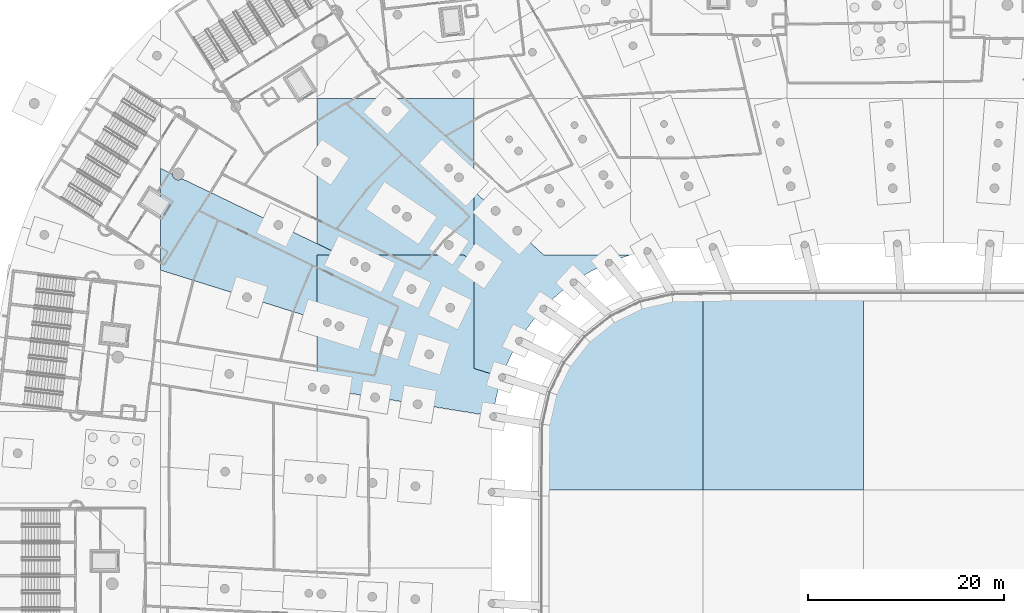
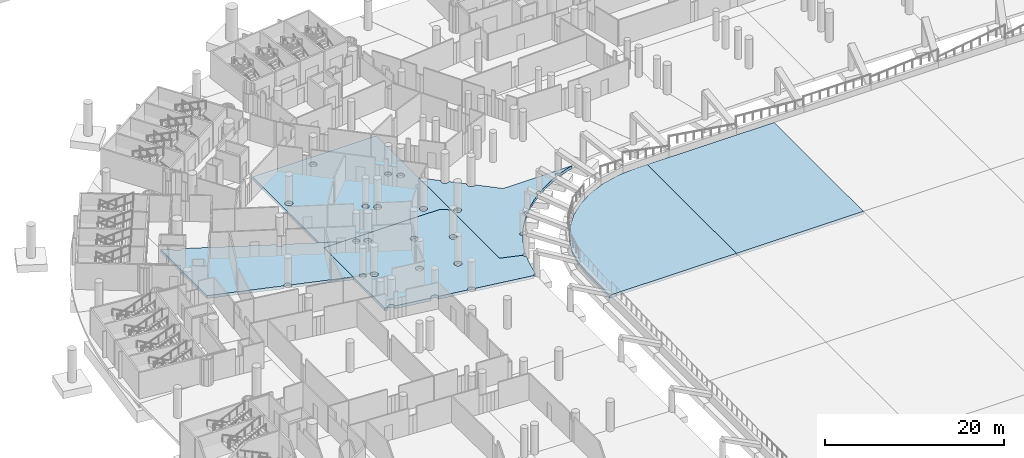
# One storey, part 27 of 142: 6 slabs.
"""IFC4 building model written with IfcOpenShell, lengths in metres."""

from ifc_helpers import new_model, si_unit, direction, frame, origin, place, context, subcontext, project, spatial, polyline, outline, extrude, material, layer, layer_set, type_object, element, save


model = new_model("IFC4")

# Units and contexts
model_context = context("Model", 3, precision=1e-05, world=origin(), true_north=direction((0.0, 1.0)))
body_context = subcontext(model_context, "Body", "Model", "MODEL_VIEW")
ifc_project = project(units=[si_unit("LENGTHUNIT", "METRE"), si_unit("AREAUNIT", "SQUARE_METRE"), si_unit("VOLUMEUNIT", "CUBIC_METRE"), si_unit("PLANEANGLEUNIT", "RADIAN"), si_unit("MASSUNIT", "GRAM", prefix="KILO")], contexts=[model_context])

# Site, building, storey
site_placement = place(None, origin())
site = spatial("IfcSite", under=ifc_project, at=site_placement, CompositionType="ELEMENT")
building_placement = place(site_placement, origin())
building = spatial("IfcBuilding", under=site, at=building_placement, Name="Meseta Stadium", CompositionType="ELEMENT")
storey_placement = place(building_placement, frame((0.0, 0.0, -4.0)))
storey = spatial("IfcBuildingStorey", under=building, at=storey_placement, Name="B1", CompositionType="ELEMENT", Elevation=-4.0)

# Slabs
ifc_material_1 = material(Name="Concrete C30/37", Category="concrete")
ifc_layer_1 = layer(ifc_material_1, 0.39990234375)
ifc_layer_set_1 = layer_set([ifc_layer_1], Name="Base slab 400")
slab_type_1 = type_object("IfcSlabType", Name="Base slab 400", PredefinedType="BASESLAB", material=ifc_layer_set_1)
slab_1_placement = place(storey_placement, frame((0.0, 0.0, -0.39990234375)))
element("IfcSlab", 1, at=slab_1_placement, inside=storey, type_object=slab_type_1, Name="Base slab B1 sector 21 panel 05", PredefinedType="BASESLAB", context=body_context, shape_type="SweptSolid", body=[
    extrude(outline(polyline([(-68.348388671875, 66.806640625), (-68.39013671875, 66.884765625), (-68.416015625, 66.969482421875), (-68.424560546875, 67.057861328125), (-68.416015625, 67.14599609375), (-68.39013671875, 67.23095703125), (-68.37841796875, 67.253173828125), (-77.829345703125, 71.79833984375), (-77.863037109375, 71.770751953125), (-77.96728515625, 71.715087890625), (-78.080322265625, 71.6806640625), (-78.197998046875, 71.669189453125), (-78.3154296875, 71.6806640625), (-78.4287109375, 71.715087890625), (-78.532958984375, 71.770751953125), (-78.624267578125, 71.845703125), (-78.69921875, 71.93701171875), (-78.7548828125, 72.041259765625), (-78.789306640625, 72.154296875), (-78.800048828125, 72.26513671875), (-80.0, 72.84228515625), (-80.0, 62.44580078125), (-71.59912109375, 59.81201171875), (-71.58740234375, 59.850341796875), (-71.545654296875, 59.928466796875), (-71.489501953125, 59.9970703125), (-71.4208984375, 60.05322265625), (-71.3427734375, 60.094970703125), (-71.2578125, 60.120849609375), (-71.169677734375, 60.12939453125), (-71.08154296875, 60.120849609375), (-70.99658203125, 60.094970703125), (-70.91845703125, 60.05322265625), (-70.85009765625, 59.9970703125), (-70.793701171875, 59.928466796875), (-70.751953125, 59.850341796875), (-70.726318359375, 59.765380859375), (-70.717529296875, 59.67724609375), (-70.726318359375, 59.589111328125), (-70.740234375, 59.54248046875), (-64.0, 57.42919921875), (-64.0, 64.0), (-61.614013671875, 64.0), (-67.56640625, 66.862548828125), (-67.596435546875, 66.806640625), (-67.652587890625, 66.738037109375), (-67.72119140625, 66.681884765625), (-67.79931640625, 66.64013671875), (-67.88427734375, 66.614501953125), (-67.972412109375, 66.605712890625), (-68.060546875, 66.614501953125), (-68.1455078125, 66.64013671875), (-68.2236328125, 66.681884765625), (-68.292236328125, 66.738037109375), (-68.348388671875, 66.806640625)])), origin(), (0.0, 0.0, 1.0), 0.39990234375),
])
slab_2_placement = place(storey_placement, frame((0.0, 0.0, -0.39990234375)))
element("IfcSlab", 2, at=slab_2_placement, inside=storey, type_object=slab_type_1, Name="Base slab B1 sector 21 panel 09", PredefinedType="BASESLAB", context=body_context, shape_type="SweptSolid", body=[
    extrude(outline(polyline([(-48.0, 63.2978515625), (-48.0, 80.0), (-64.0, 80.0), (-64.0, 65.1474609375), (-61.614013671875, 64.0), (-49.0400390625, 64.0), (-48.0, 63.2978515625)]), holes=[polyline([(-57.3671875, 78.69580078125), (-57.3583984375, 78.783935546875), (-57.332763671875, 78.868896484375), (-57.291015625, 78.947021484375), (-57.23486328125, 79.015380859375), (-57.166259765625, 79.07177734375), (-57.088134765625, 79.113525390625), (-57.003173828125, 79.13916015625), (-56.9150390625, 79.14794921875), (-56.826904296875, 79.13916015625), (-56.741943359375, 79.113525390625), (-56.663818359375, 79.07177734375), (-56.59521484375, 79.015380859375), (-56.5390625, 78.947021484375), (-56.497314453125, 78.868896484375), (-56.471435546875, 78.783935546875), (-56.462890625, 78.69580078125), (-56.471435546875, 78.607421875), (-56.497314453125, 78.522705078125), (-56.5390625, 78.444580078125), (-56.59521484375, 78.3759765625), (-56.663818359375, 78.319580078125), (-56.741943359375, 78.278076171875), (-56.826904296875, 78.252197265625), (-56.9150390625, 78.243408203125), (-57.003173828125, 78.252197265625), (-57.088134765625, 78.278076171875), (-57.166259765625, 78.319580078125), (-57.23486328125, 78.3759765625), (-57.291015625, 78.444580078125), (-57.332763671875, 78.522705078125), (-57.3583984375, 78.607421875), (-57.3671875, 78.69580078125)]), polyline([(-50.973388671875, 72.888916015625), (-50.9658203125, 72.96728515625), (-50.94287109375, 73.04248046875), (-50.90576171875, 73.112060546875), (-50.855712890625, 73.173095703125), (-50.794921875, 73.222900390625), (-50.725341796875, 73.260009765625), (-50.64990234375, 73.282958984375), (-50.571533203125, 73.290771484375), (-50.4931640625, 73.282958984375), (-50.417724609375, 73.260009765625), (-50.348388671875, 73.222900390625), (-50.287353515625, 73.173095703125), (-50.2373046875, 73.112060546875), (-50.2001953125, 73.04248046875), (-50.177490234375, 72.96728515625), (-50.169677734375, 72.888916015625), (-50.177490234375, 72.810302734375), (-50.2001953125, 72.735107421875), (-50.2373046875, 72.66552734375), (-50.287353515625, 72.6044921875), (-50.348388671875, 72.5546875), (-50.417724609375, 72.517333984375), (-50.4931640625, 72.49462890625), (-50.571533203125, 72.48681640625), (-50.64990234375, 72.49462890625), (-50.725341796875, 72.517333984375), (-50.794921875, 72.5546875), (-50.855712890625, 72.6044921875), (-50.90576171875, 72.66552734375), (-50.94287109375, 72.735107421875), (-50.9658203125, 72.810302734375), (-50.973388671875, 72.888916015625)]), polyline([(-49.970458984375, 71.924560546875), (-49.9619140625, 72.0126953125), (-49.93603515625, 72.09765625), (-49.894287109375, 72.17578125), (-49.838134765625, 72.244384765625), (-49.76953125, 72.300537109375), (-49.69140625, 72.34228515625), (-49.606689453125, 72.3681640625), (-49.518310546875, 72.376708984375), (-49.43017578125, 72.3681640625), (-49.34521484375, 72.34228515625), (-49.26708984375, 72.300537109375), (-49.198486328125, 72.244384765625), (-49.142333984375, 72.17578125), (-49.1005859375, 72.09765625), (-49.074951171875, 72.0126953125), (-49.066162109375, 71.924560546875), (-49.074951171875, 71.83642578125), (-49.1005859375, 71.751708984375), (-49.142333984375, 71.67333984375), (-49.198486328125, 71.60498046875), (-49.26708984375, 71.548583984375), (-49.34521484375, 71.5068359375), (-49.43017578125, 71.481201171875), (-49.518310546875, 71.472412109375), (-49.606689453125, 71.481201171875), (-49.69140625, 71.5068359375), (-49.76953125, 71.548583984375), (-49.838134765625, 71.60498046875), (-49.894287109375, 71.67333984375), (-49.93603515625, 71.751708984375), (-49.9619140625, 71.83642578125), (-49.970458984375, 71.924560546875)]), polyline([(-50.872802734375, 64.701416015625), (-50.928955078125, 64.77001953125), (-50.970703125, 64.84814453125), (-50.996337890625, 64.93310546875), (-51.005126953125, 65.021240234375), (-50.996337890625, 65.109619140625), (-50.970703125, 65.1943359375), (-50.927490234375, 65.274169921875), (-50.872802734375, 65.341064453125), (-50.80419921875, 65.397216796875), (-50.72607421875, 65.43896484375), (-50.64111328125, 65.46484375), (-50.552978515625, 65.473388671875), (-50.464599609375, 65.46484375), (-50.3798828125, 65.43896484375), (-50.3017578125, 65.397216796875), (-50.233154296875, 65.341064453125), (-50.177001953125, 65.2724609375), (-50.13525390625, 65.1943359375), (-50.109375, 65.109619140625), (-50.100830078125, 65.021240234375), (-50.109375, 64.93310546875), (-50.13525390625, 64.84814453125), (-50.178466796875, 64.768310546875), (-50.233154296875, 64.701416015625), (-50.3017578125, 64.645263671875), (-50.3798828125, 64.603515625), (-50.464599609375, 64.577880859375), (-50.552978515625, 64.569091796875), (-50.64111328125, 64.577880859375), (-50.72607421875, 64.603515625), (-50.80419921875, 64.645263671875), (-50.872802734375, 64.701416015625)]), polyline([(-63.444091796875, 73.218505859375), (-63.48583984375, 73.296875), (-63.51171875, 73.381591796875), (-63.5205078125, 73.469970703125), (-63.51171875, 73.55810546875), (-63.48583984375, 73.642822265625), (-63.44287109375, 73.72265625), (-63.387939453125, 73.78955078125), (-63.3193359375, 73.845703125), (-63.2412109375, 73.8876953125), (-63.156494140625, 73.913330078125), (-63.068115234375, 73.922119140625), (-62.97998046875, 73.913330078125), (-62.89501953125, 73.8876953125), (-62.81689453125, 73.845703125), (-62.748291015625, 73.78955078125), (-62.692138671875, 73.72119140625), (-62.650390625, 73.642822265625), (-62.624755859375, 73.55810546875), (-62.615966796875, 73.469970703125), (-62.624755859375, 73.381591796875), (-62.650390625, 73.296875), (-62.693603515625, 73.217041015625), (-62.748291015625, 73.150146484375), (-62.81689453125, 73.093994140625), (-62.89501953125, 73.052001953125), (-62.97998046875, 73.0263671875), (-63.068115234375, 73.017578125), (-63.156494140625, 73.0263671875), (-63.2412109375, 73.052001953125), (-63.3193359375, 73.093994140625), (-63.387939453125, 73.150146484375), (-63.444091796875, 73.218505859375)]), polyline([(-56.2744140625, 68.434814453125), (-56.3115234375, 68.50439453125), (-56.33447265625, 68.57958984375), (-56.34228515625, 68.658203125), (-56.33447265625, 68.736572265625), (-56.3115234375, 68.81201171875), (-56.273193359375, 68.8828125), (-56.224609375, 68.9423828125), (-56.16357421875, 68.9921875), (-56.093994140625, 69.029296875), (-56.018798828125, 69.05224609375), (-55.940185546875, 69.06005859375), (-55.86181640625, 69.05224609375), (-55.78662109375, 69.029296875), (-55.717041015625, 68.9921875), (-55.656005859375, 68.9423828125), (-55.606201171875, 68.88134765625), (-55.56884765625, 68.81201171875), (-55.546142578125, 68.736572265625), (-55.538330078125, 68.658203125), (-55.546142578125, 68.57958984375), (-55.56884765625, 68.50439453125), (-55.607421875, 68.433349609375), (-55.656005859375, 68.373779296875), (-55.717041015625, 68.323974609375), (-55.78662109375, 68.28662109375), (-55.86181640625, 68.263916015625), (-55.940185546875, 68.256103515625), (-56.018798828125, 68.263916015625), (-56.093994140625, 68.28662109375), (-56.16357421875, 68.323974609375), (-56.224609375, 68.373779296875), (-56.2744140625, 68.434814453125)]), polyline([(-55.195556640625, 67.650390625), (-55.2373046875, 67.728515625), (-55.26318359375, 67.813232421875), (-55.271728515625, 67.901611328125), (-55.26318359375, 67.98974609375), (-55.2373046875, 68.07470703125), (-55.194091796875, 68.154541015625), (-55.139404296875, 68.22119140625), (-55.07080078125, 68.277587890625), (-54.99267578125, 68.3193359375), (-54.90771484375, 68.344970703125), (-54.819580078125, 68.353759765625), (-54.7314453125, 68.344970703125), (-54.646484375, 68.3193359375), (-54.568359375, 68.277587890625), (-54.5, 68.22119140625), (-54.443603515625, 68.15283203125), (-54.40185546875, 68.07470703125), (-54.376220703125, 67.98974609375), (-54.367431640625, 67.901611328125), (-54.376220703125, 67.813232421875), (-54.40185546875, 67.728515625), (-54.445068359375, 67.648681640625), (-54.5, 67.581787109375), (-54.568359375, 67.525634765625), (-54.646484375, 67.48388671875), (-54.7314453125, 67.4580078125), (-54.819580078125, 67.449462890625), (-54.90771484375, 67.4580078125), (-54.99267578125, 67.48388671875), (-55.07080078125, 67.525634765625), (-55.139404296875, 67.581787109375), (-55.195556640625, 67.650390625)])]), origin(), (0.0, 0.0, 1.0), 0.39990234375),
])
slab_3_placement = place(storey_placement, frame((0.0, 0.0, -0.39990234375)))
element("IfcSlab", 3, at=slab_3_placement, inside=storey, type_object=slab_type_1, Name="Base slab B1 sector 21 panel 10", PredefinedType="BASESLAB", context=body_context, shape_type="SweptSolid", body=[
    extrude(outline(polyline([(-53.913330078125, 49.164306640625), (-53.82861328125, 49.18994140625), (-53.740234375, 49.19873046875), (-53.652099609375, 49.18994140625), (-53.5673828125, 49.164306640625), (-53.489013671875, 49.12255859375), (-53.420654296875, 49.06640625), (-53.3642578125, 48.997802734375), (-53.322509765625, 48.919677734375), (-53.296875, 48.834716796875), (-53.2880859375, 48.74658203125), (-53.294189453125, 48.684814453125), (-46.384765625, 47.572021484375), (-46.364501953125, 47.640869140625), (-46.331787109375, 47.70166015625), (-46.2880859375, 47.7548828125), (-46.23486328125, 47.798583984375), (-46.174072265625, 47.831298828125), (-46.108154296875, 47.851318359375), (-46.03955078125, 47.85791015625), (-45.9912109375, 47.853271484375), (-45.945068359375, 48.185546875), (-45.82666015625, 48.861083984375), (-45.684814453125, 49.5322265625), (-45.519775390625, 50.197998046875), (-45.331298828125, 50.857421875), (-45.227783203125, 51.1767578125), (-45.254638671875, 51.18505859375), (-45.3154296875, 51.217529296875), (-45.368896484375, 51.26123046875), (-45.41259765625, 51.314453125), (-45.445068359375, 51.375244140625), (-45.465087890625, 51.44140625), (-45.4716796875, 51.510009765625), (-45.465087890625, 51.57861328125), (-45.4541015625, 51.614501953125), (-48.0, 52.412841796875), (-48.0, 63.2978515625), (-49.0400390625, 64.0), (-64.0, 64.0), (-64.0, 50.4091796875), (-63.662353515625, 50.354736328125), (-63.66162109375, 50.361083984375), (-63.635986328125, 50.446044921875), (-63.593994140625, 50.524169921875), (-63.537841796875, 50.5927734375), (-63.469482421875, 50.64892578125), (-63.39111328125, 50.69091796875), (-63.306396484375, 50.716552734375), (-63.21826171875, 50.72509765625), (-63.1298828125, 50.716552734375), (-63.045166015625, 50.69091796875), (-62.966796875, 50.64892578125), (-62.8984375, 50.5927734375), (-62.84228515625, 50.524169921875), (-62.80029296875, 50.446044921875), (-62.774658203125, 50.361083984375), (-62.76611328125, 50.27294921875), (-62.772216796875, 50.211181640625), (-58.5283203125, 49.52783203125), (-58.52783203125, 49.534423828125), (-58.502197265625, 49.619140625), (-58.460205078125, 49.697509765625), (-58.404052734375, 49.765869140625), (-58.33544921875, 49.822021484375), (-58.25732421875, 49.864013671875), (-58.172607421875, 49.8896484375), (-58.084228515625, 49.8984375), (-57.99609375, 49.8896484375), (-57.911376953125, 49.864013671875), (-57.8330078125, 49.822021484375), (-57.7646484375, 49.765869140625), (-57.708251953125, 49.697509765625), (-57.66650390625, 49.619140625), (-57.640869140625, 49.534423828125), (-57.632080078125, 49.4462890625), (-57.63818359375, 49.384521484375), (-54.184326171875, 48.828125), (-54.183837890625, 48.834716796875), (-54.157958984375, 48.919677734375), (-54.1162109375, 48.997802734375), (-54.06005859375, 49.06640625), (-53.991455078125, 49.12255859375), (-53.913330078125, 49.164306640625)]), holes=[polyline([(-60.4453125, 62.996337890625), (-60.50634765625, 63.04638671875), (-60.556396484375, 63.107177734375), (-60.593505859375, 63.1767578125), (-60.6162109375, 63.252197265625), (-60.6240234375, 63.33056640625), (-60.6162109375, 63.408935546875), (-60.593505859375, 63.484375), (-60.556396484375, 63.5537109375), (-60.50634765625, 63.61474609375), (-60.4453125, 63.664794921875), (-60.3759765625, 63.701904296875), (-60.300537109375, 63.724853515625), (-60.22216796875, 63.732421875), (-60.143798828125, 63.724853515625), (-60.068359375, 63.701904296875), (-59.998779296875, 63.664794921875), (-59.93798828125, 63.61474609375), (-59.887939453125, 63.5537109375), (-59.850830078125, 63.484375), (-59.827880859375, 63.408935546875), (-59.8203125, 63.33056640625), (-59.827880859375, 63.252197265625), (-59.850830078125, 63.1767578125), (-59.887939453125, 63.107177734375), (-59.93798828125, 63.04638671875), (-59.998779296875, 62.996337890625), (-60.068359375, 62.959228515625), (-60.143798828125, 62.936279296875), (-60.22216796875, 62.9287109375), (-60.300537109375, 62.936279296875), (-60.3759765625, 62.959228515625), (-60.4453125, 62.996337890625)]), polyline([(-59.30029296875, 62.390380859375), (-59.36865234375, 62.446533203125), (-59.425048828125, 62.51513671875), (-59.466796875, 62.59326171875), (-59.492431640625, 62.677978515625), (-59.501220703125, 62.766357421875), (-59.492431640625, 62.8544921875), (-59.466796875, 62.939453125), (-59.425048828125, 63.017578125), (-59.36865234375, 63.086181640625), (-59.30029296875, 63.142333984375), (-59.221923828125, 63.18408203125), (-59.13720703125, 63.209716796875), (-59.049072265625, 63.218505859375), (-58.960693359375, 63.209716796875), (-58.8759765625, 63.18408203125), (-58.7978515625, 63.142333984375), (-58.729248046875, 63.086181640625), (-58.673095703125, 63.017578125), (-58.631103515625, 62.939453125), (-58.60546875, 62.8544921875), (-58.5966796875, 62.766357421875), (-58.60546875, 62.677978515625), (-58.631103515625, 62.59326171875), (-58.673095703125, 62.51513671875), (-58.729248046875, 62.446533203125), (-58.7978515625, 62.390380859375), (-58.8759765625, 62.3486328125), (-58.960693359375, 62.322998046875), (-59.049072265625, 62.314208984375), (-59.13720703125, 62.322998046875), (-59.221923828125, 62.3486328125), (-59.30029296875, 62.390380859375)]), polyline([(-54.615478515625, 60.137451171875), (-54.68408203125, 60.193603515625), (-54.740234375, 60.26220703125), (-54.781982421875, 60.34033203125), (-54.807861328125, 60.42529296875), (-54.81640625, 60.513427734375), (-54.807861328125, 60.6015625), (-54.781982421875, 60.686279296875), (-54.740234375, 60.7646484375), (-54.68408203125, 60.8330078125), (-54.615478515625, 60.889404296875), (-54.537353515625, 60.93115234375), (-54.452392578125, 60.956787109375), (-54.3642578125, 60.965576171875), (-54.276123046875, 60.956787109375), (-54.19140625, 60.93115234375), (-54.113037109375, 60.889404296875), (-54.044677734375, 60.8330078125), (-53.98828125, 60.7646484375), (-53.946533203125, 60.686279296875), (-53.9208984375, 60.6015625), (-53.912109375, 60.513427734375), (-53.9208984375, 60.42529296875), (-53.946533203125, 60.34033203125), (-53.98828125, 60.26220703125), (-54.044677734375, 60.193603515625), (-54.113037109375, 60.137451171875), (-54.19140625, 60.095703125), (-54.276123046875, 60.06982421875), (-54.3642578125, 60.061279296875), (-54.452392578125, 60.06982421875), (-54.537353515625, 60.095703125), (-54.615478515625, 60.137451171875)]), polyline([(-50.667724609375, 58.23876953125), (-50.736083984375, 58.294921875), (-50.79248046875, 58.363525390625), (-50.834228515625, 58.441650390625), (-50.85986328125, 58.526611328125), (-50.86865234375, 58.61474609375), (-50.85986328125, 58.702880859375), (-50.834228515625, 58.787841796875), (-50.79248046875, 58.865966796875), (-50.736083984375, 58.9345703125), (-50.667724609375, 58.99072265625), (-50.589599609375, 59.032470703125), (-50.504638671875, 59.058349609375), (-50.41650390625, 59.06689453125), (-50.328125, 59.058349609375), (-50.243408203125, 59.032470703125), (-50.165283203125, 58.99072265625), (-50.0966796875, 58.9345703125), (-50.04052734375, 58.865966796875), (-49.998779296875, 58.787841796875), (-49.972900390625, 58.702880859375), (-49.96435546875, 58.61474609375), (-49.972900390625, 58.526611328125), (-49.998779296875, 58.441650390625), (-50.04052734375, 58.363525390625), (-50.0966796875, 58.294921875), (-50.165283203125, 58.23876953125), (-50.243408203125, 58.197021484375), (-50.328125, 58.17138671875), (-50.41650390625, 58.16259765625), (-50.504638671875, 58.17138671875), (-50.589599609375, 58.197021484375), (-50.667724609375, 58.23876953125)]), polyline([(-62.963623046875, 56.702392578125), (-63.0419921875, 56.710205078125), (-63.117431640625, 56.733154296875), (-63.18701171875, 56.770263671875), (-63.247802734375, 56.8203125), (-63.2978515625, 56.881103515625), (-63.3349609375, 56.95068359375), (-63.35791015625, 57.02587890625), (-63.365478515625, 57.1044921875), (-63.35791015625, 57.182861328125), (-63.3349609375, 57.25830078125), (-63.2978515625, 57.32763671875), (-63.247802734375, 57.388671875), (-63.18701171875, 57.438720703125), (-63.117431640625, 57.4755859375), (-63.0419921875, 57.49853515625), (-62.963623046875, 57.50634765625), (-62.88525390625, 57.49853515625), (-62.809814453125, 57.4755859375), (-62.740234375, 57.438720703125), (-62.679443359375, 57.388671875), (-62.62939453125, 57.32763671875), (-62.59228515625, 57.25830078125), (-62.5693359375, 57.182861328125), (-62.561767578125, 57.1044921875), (-62.5693359375, 57.02587890625), (-62.59228515625, 56.95068359375), (-62.62939453125, 56.881103515625), (-62.679443359375, 56.8203125), (-62.740234375, 56.770263671875), (-62.809814453125, 56.733154296875), (-62.88525390625, 56.710205078125), (-62.963623046875, 56.702392578125)]), polyline([(-61.72314453125, 56.26318359375), (-61.811279296875, 56.27197265625), (-61.896240234375, 56.297607421875), (-61.974365234375, 56.339599609375), (-62.04296875, 56.395751953125), (-62.09912109375, 56.46435546875), (-62.140869140625, 56.54248046875), (-62.16650390625, 56.627197265625), (-62.17529296875, 56.715576171875), (-62.16650390625, 56.8037109375), (-62.140869140625, 56.888427734375), (-62.09912109375, 56.966796875), (-62.04296875, 57.03515625), (-61.974365234375, 57.09130859375), (-61.896240234375, 57.13330078125), (-61.811279296875, 57.158935546875), (-61.72314453125, 57.16748046875), (-61.635009765625, 57.158935546875), (-61.550048828125, 57.13330078125), (-61.471923828125, 57.09130859375), (-61.4033203125, 57.03515625), (-61.34716796875, 56.966796875), (-61.305419921875, 56.888427734375), (-61.27978515625, 56.8037109375), (-61.27099609375, 56.715576171875), (-61.27978515625, 56.627197265625), (-61.305419921875, 56.54248046875), (-61.34716796875, 56.46435546875), (-61.4033203125, 56.395751953125), (-61.471923828125, 56.339599609375), (-61.550048828125, 56.297607421875), (-61.635009765625, 56.27197265625), (-61.72314453125, 56.26318359375)]), polyline([(-56.76123046875, 54.70751953125), (-56.849609375, 54.71630859375), (-56.934326171875, 54.741943359375), (-57.012451171875, 54.78369140625), (-57.0810546875, 54.840087890625), (-57.13720703125, 54.90869140625), (-57.17919921875, 54.98681640625), (-57.204833984375, 55.071533203125), (-57.21337890625, 55.159912109375), (-57.204833984375, 55.248046875), (-57.17919921875, 55.332763671875), (-57.13720703125, 55.410888671875), (-57.0810546875, 55.4794921875), (-57.012451171875, 55.53564453125), (-56.934326171875, 55.577392578125), (-56.849609375, 55.603271484375), (-56.76123046875, 55.612060546875), (-56.673095703125, 55.603271484375), (-56.58837890625, 55.577392578125), (-56.510009765625, 55.53564453125), (-56.441650390625, 55.4794921875), (-56.38525390625, 55.410888671875), (-56.343505859375, 55.332763671875), (-56.31787109375, 55.248046875), (-56.30908203125, 55.159912109375), (-56.31787109375, 55.071533203125), (-56.343505859375, 54.98681640625), (-56.38525390625, 54.90869140625), (-56.441650390625, 54.840087890625), (-56.510009765625, 54.78369140625), (-56.58837890625, 54.741943359375), (-56.673095703125, 54.71630859375), (-56.76123046875, 54.70751953125)]), polyline([(-52.562744140625, 53.39111328125), (-52.651123046875, 53.39990234375), (-52.73583984375, 53.42578125), (-52.814208984375, 53.46728515625), (-52.882568359375, 53.523681640625), (-52.938720703125, 53.59228515625), (-52.980712890625, 53.67041015625), (-53.00634765625, 53.755126953125), (-53.014892578125, 53.843505859375), (-53.00634765625, 53.931640625), (-52.980712890625, 54.0166015625), (-52.938720703125, 54.094482421875), (-52.882568359375, 54.1630859375), (-52.814208984375, 54.219482421875), (-52.73583984375, 54.26123046875), (-52.651123046875, 54.286865234375), (-52.562744140625, 54.295654296875), (-52.474609375, 54.286865234375), (-52.389892578125, 54.26123046875), (-52.3115234375, 54.219482421875), (-52.2431640625, 54.1630859375), (-52.18701171875, 54.094482421875), (-52.14501953125, 54.0166015625), (-52.119384765625, 53.931640625), (-52.110595703125, 53.843505859375), (-52.119384765625, 53.755126953125), (-52.14501953125, 53.67041015625), (-52.18701171875, 53.59228515625), (-52.2431640625, 53.523681640625), (-52.3115234375, 53.46728515625), (-52.389892578125, 53.42578125), (-52.474609375, 53.39990234375), (-52.562744140625, 53.39111328125)])]), origin(), (0.0, 0.0, 1.0), 0.39990234375),
])
slab_4_placement = place(storey_placement, frame((0.0, 0.0, -0.39990234375)))
element("IfcSlab", 4, at=slab_4_placement, inside=storey, type_object=slab_type_1, Name="Base slab B1 sector 21 panel 12", PredefinedType="BASESLAB", context=body_context, shape_type="SweptSolid", body=[
    extrude(outline(polyline([(-44.351318359375, 53.41748046875), (-44.05126953125, 54.0341796875), (-43.7294921875, 54.639892578125), (-43.56201171875, 54.930908203125), (-43.58251953125, 54.94189453125), (-43.6357421875, 54.985595703125), (-43.679443359375, 55.038818359375), (-43.7119140625, 55.099609375), (-43.73193359375, 55.16552734375), (-43.73876953125, 55.234130859375), (-43.73193359375, 55.302734375), (-43.7119140625, 55.368896484375), (-43.679443359375, 55.4296875), (-43.6357421875, 55.48291015625), (-43.58251953125, 55.526611328125), (-43.521728515625, 55.55908203125), (-43.455810546875, 55.5791015625), (-43.38720703125, 55.5859375), (-43.318603515625, 55.5791015625), (-43.25244140625, 55.55908203125), (-43.201416015625, 55.53173828125), (-43.02392578125, 55.816162109375), (-42.640869140625, 56.385009765625), (-42.23779296875, 56.93994140625), (-41.81591796875, 57.480712890625), (-41.375244140625, 58.006103515625), (-41.15087890625, 58.255615234375), (-41.165283203125, 58.267333984375), (-41.208984375, 58.32080078125), (-41.241455078125, 58.381591796875), (-41.261474609375, 58.447509765625), (-41.268310546875, 58.51611328125), (-41.261474609375, 58.584716796875), (-41.241455078125, 58.650634765625), (-41.207763671875, 58.712646484375), (-41.165283203125, 58.7646484375), (-41.11181640625, 58.80859375), (-41.051025390625, 58.841064453125), (-40.985107421875, 58.861083984375), (-40.91650390625, 58.86767578125), (-40.847900390625, 58.861083984375), (-40.781982421875, 58.841064453125), (-40.72119140625, 58.80859375), (-40.672607421875, 58.768798828125), (-40.440185546875, 59.009521484375), (-39.94677734375, 59.486083984375), (-39.437255859375, 59.9453125), (-38.91162109375, 60.38623046875), (-38.37109375, 60.80859375), (-38.099609375, 61.005859375), (-38.1083984375, 61.0166015625), (-38.14111328125, 61.077392578125), (-38.160888671875, 61.143310546875), (-38.167724609375, 61.2119140625), (-38.160888671875, 61.28076171875), (-38.14111328125, 61.3466796875), (-38.1083984375, 61.407470703125), (-38.064697265625, 61.460693359375), (-38.011474609375, 61.50439453125), (-37.95068359375, 61.537109375), (-37.884765625, 61.556884765625), (-37.816162109375, 61.563720703125), (-37.747314453125, 61.556884765625), (-37.681396484375, 61.537109375), (-37.62060546875, 61.50439453125), (-37.5673828125, 61.460693359375), (-37.524658203125, 61.40869140625), (-37.247314453125, 61.595703125), (-36.665283203125, 61.95947265625), (-36.07080078125, 62.302490234375), (-35.464599609375, 62.624755859375), (-34.847412109375, 62.925537109375), (-34.54052734375, 63.06201171875), (-34.544921875, 63.0703125), (-34.56494140625, 63.13623046875), (-34.57177734375, 63.204833984375), (-34.56494140625, 63.2734375), (-34.544921875, 63.33935546875), (-34.512451171875, 63.400146484375), (-34.468505859375, 63.45361328125), (-34.415283203125, 63.497314453125), (-34.3544921875, 63.52978515625), (-34.28857421875, 63.5498046875), (-34.219970703125, 63.556396484375), (-34.1513671875, 63.5498046875), (-34.08544921875, 63.52978515625), (-34.024658203125, 63.497314453125), (-33.97119140625, 63.45361328125), (-33.927490234375, 63.400146484375), (-33.89404296875, 63.33642578125), (-33.5830078125, 63.4619140625), (-32.937255859375, 63.697021484375), (-32.283447265625, 63.9091796875), (-32.0, 63.990234375), (-32.0, 64.0), (-40.861572265625, 64.0), (-43.237060546875, 66.174560546875), (-43.249755859375, 66.1591796875), (-43.318115234375, 66.102783203125), (-43.396484375, 66.06103515625), (-43.481201171875, 66.035400390625), (-43.5693359375, 66.026611328125), (-43.65771484375, 66.035400390625), (-43.742431640625, 66.06103515625), (-43.820556640625, 66.102783203125), (-43.88916015625, 66.1591796875), (-43.9453125, 66.2275390625), (-43.9873046875, 66.305908203125), (-44.012939453125, 66.390625), (-44.021484375, 66.478759765625), (-44.012939453125, 66.56689453125), (-43.9873046875, 66.65185546875), (-43.9453125, 66.72998046875), (-43.90185546875, 66.783203125), (-45.444580078125, 68.195556640625), (-45.45751953125, 68.18017578125), (-45.52587890625, 68.123779296875), (-45.60400390625, 68.08203125), (-45.68896484375, 68.056396484375), (-45.777099609375, 68.047607421875), (-45.865234375, 68.056396484375), (-45.9501953125, 68.08203125), (-46.0283203125, 68.123779296875), (-46.096923828125, 68.18017578125), (-46.153076171875, 68.24853515625), (-46.19482421875, 68.326904296875), (-46.220703125, 68.41162109375), (-46.229248046875, 68.499755859375), (-46.220703125, 68.587890625), (-46.19482421875, 68.6728515625), (-46.153076171875, 68.7509765625), (-46.109619140625, 68.80419921875), (-48.0, 70.53466796875), (-48.0, 52.412841796875), (-45.4541015625, 51.614501953125), (-45.445068359375, 51.64453125), (-45.41259765625, 51.705322265625), (-45.368896484375, 51.758544921875), (-45.3154296875, 51.80224609375), (-45.254638671875, 51.834716796875), (-45.188720703125, 51.854736328125), (-45.1201171875, 51.861572265625), (-45.051513671875, 51.854736328125), (-45.00048828125, 51.83935546875), (-44.885986328125, 52.154541015625), (-44.6298828125, 52.790771484375), (-44.351318359375, 53.41748046875)]), holes=[polyline([(-47.632568359375, 62.50439453125), (-47.701171875, 62.560546875), (-47.75732421875, 62.62890625), (-47.799072265625, 62.707275390625), (-47.82470703125, 62.7919921875), (-47.83349609375, 62.880126953125), (-47.82470703125, 62.968505859375), (-47.799072265625, 63.05322265625), (-47.755859375, 63.133056640625), (-47.701171875, 63.199951171875), (-47.632568359375, 63.256103515625), (-47.554443359375, 63.298095703125), (-47.469482421875, 63.32373046875), (-47.38134765625, 63.33251953125), (-47.293212890625, 63.32373046875), (-47.208251953125, 63.298095703125), (-47.130126953125, 63.256103515625), (-47.0615234375, 63.199951171875), (-47.00537109375, 63.13134765625), (-46.963623046875, 63.05322265625), (-46.937744140625, 62.968505859375), (-46.92919921875, 62.880126953125), (-46.937744140625, 62.7919921875), (-46.963623046875, 62.707275390625), (-47.006591796875, 62.627197265625), (-47.0615234375, 62.560546875), (-47.130126953125, 62.50439453125), (-47.208251953125, 62.46240234375), (-47.293212890625, 62.436767578125), (-47.38134765625, 62.427978515625), (-47.469482421875, 62.436767578125), (-47.554443359375, 62.46240234375), (-47.632568359375, 62.50439453125)])]), origin(), (0.0, 0.0, 1.0), 0.39990234375),
])
ifc_material_2 = material(Name="Natural turf on sand and drainage layers")
ifc_layer_2 = layer(ifc_material_2, 0.39990234375)
ifc_layer_set_2 = layer_set([ifc_layer_2], Name="Pitch turf 400")
slab_type_2 = type_object("IfcSlabType", Name="Pitch turf 400", PredefinedType="BASESLAB", material=ifc_layer_set_2)
slab_5_placement = place(storey_placement, frame((0.0, 0.0, -0.39990234375)))
element("IfcSlab", 5, at=slab_5_placement, inside=storey, type_object=slab_type_2, Name="Playing pitch module 26", PredefinedType="BASESLAB", context=body_context, shape_type="SweptSolid", body=[
    extrude(outline(polyline([(-24.587890625, 59.97998046875), (-25.999267578125, 59.97998046875), (-28.343505859375, 59.79541015625), (-30.629150390625, 59.246826171875), (-32.80078125, 58.34716796875), (-34.804931640625, 57.118896484375), (-36.59228515625, 55.59228515625), (-38.118896484375, 53.804931640625), (-39.34716796875, 51.80078125), (-40.246826171875, 49.629150390625), (-40.79541015625, 47.343505859375), (-40.97998046875, 44.999267578125), (-40.97998046875, 39.98681640625), (-24.587890625, 39.98681640625), (-24.587890625, 59.97998046875)])), origin(), (0.0, 0.0, 1.0), 0.39990234375),
])
slab_6_placement = place(storey_placement, frame((0.0, 0.0, -0.39990234375)))
element("IfcSlab", 6, at=slab_6_placement, inside=storey, type_object=slab_type_2, Name="Playing pitch module 28", PredefinedType="BASESLAB", context=body_context, shape_type="SweptSolid", body=[
    extrude(outline(polyline([(-8.196044921875, 59.97998046875), (-24.587890625, 59.97998046875), (-24.587890625, 39.98681640625), (-8.196044921875, 39.98681640625), (-8.196044921875, 59.97998046875)])), origin(), (0.0, 0.0, 1.0), 0.39990234375),
])

save(model, "model.ifc")
